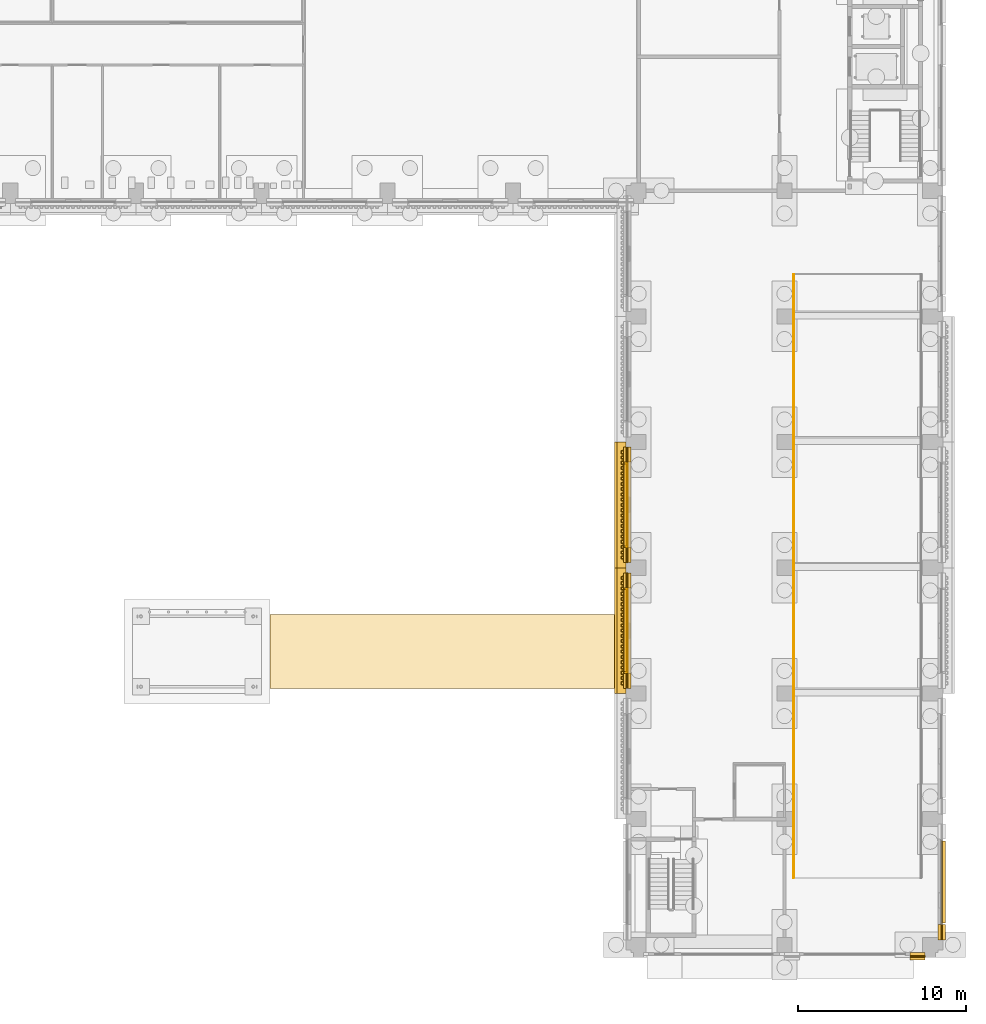
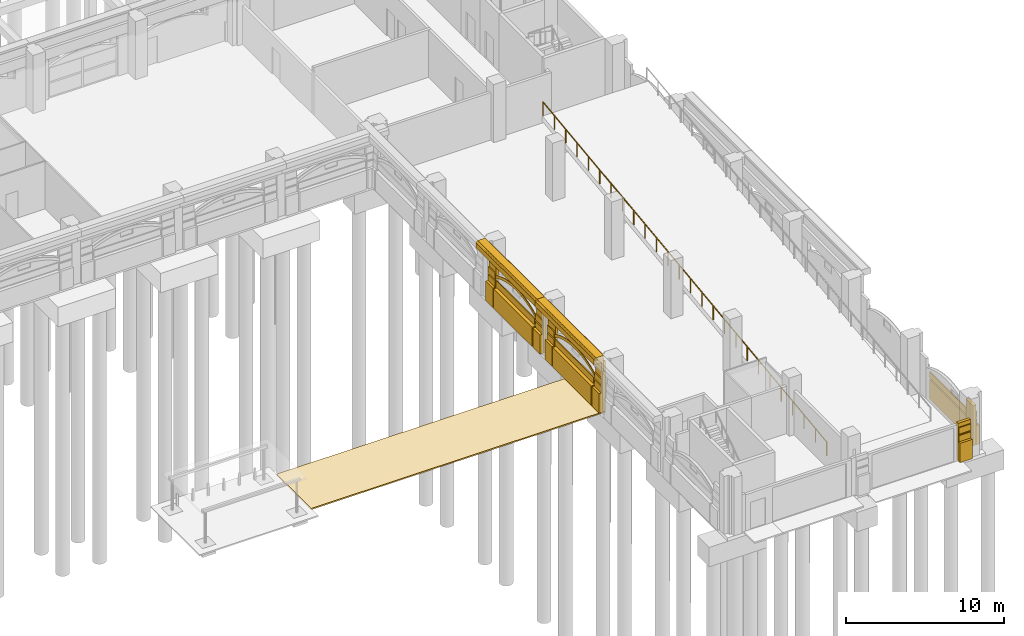
# One storey, part 81 of 99: 39 coverings, 1 railing.
"""IFC4 building model written with IfcOpenShell, lengths in metres."""

from ifc_helpers import new_model, si_unit, direction, frame, origin, origin_2d, place, context, subcontext, project, spatial, polyline, circle, outline, extrude, material, layer, layer_set, type_object, element, save


model = new_model("IFC4")

# Units and contexts
model_context = context("Model", 3, precision=1e-05, world=origin(), true_north=direction((0.0, 1.0)))
body_context = subcontext(model_context, "Body", "Model", "MODEL_VIEW")
ifc_project = project(units=[si_unit("LENGTHUNIT", "METRE"), si_unit("AREAUNIT", "SQUARE_METRE"), si_unit("VOLUMEUNIT", "CUBIC_METRE"), si_unit("PLANEANGLEUNIT", "RADIAN"), si_unit("MASSUNIT", "GRAM", prefix="KILO")], contexts=[model_context])

# Site, building, storey
site_placement = place(None, origin())
site = spatial("IfcSite", under=ifc_project, at=site_placement, CompositionType="ELEMENT")
building_placement = place(site_placement, origin())
building = spatial("IfcBuilding", under=site, at=building_placement, Name="Cour d'Honneur Mobility Palace", CompositionType="ELEMENT")
storey_placement = place(building_placement, origin())
storey = spatial("IfcBuildingStorey", under=building, at=storey_placement, Name="L00", CompositionType="ELEMENT", Elevation=0.0)

# Coverings
ifc_material_1 = material(Name="Cast limestone", Category="masonry")
ifc_layer_1 = layer(ifc_material_1, 0.050048828125)
ifc_layer_set_1 = layer_set([ifc_layer_1], Name="Cast limestone")
covering_type_1 = type_object("IfcCoveringType", Name="Arch hood", PredefinedType="CLADDING", material=ifc_layer_set_1)
for number, where, z_axis, x_axis, name in (
    (1, (144.199951171875, 28.800048828125, 2.179931640625), (-1.0, 0.0, 0.0), (0.0, -0.893604607308, 0.448854994176), "Arch hood AH-26"),
    (2, (144.199951171875, 21.300048828125, 2.179931640625), (-1.0, 0.0, 0.0), (0.0, -0.893604607308, 0.448854994176), "Arch hood AH-27"),
):
    element("IfcCovering", number, at=place(storey_placement, frame(where, z_axis=z_axis, x_axis=x_axis)), inside=storey, type_object=covering_type_1, Name=name, PredefinedType="CLADDING", context=body_context, shape_type="SweptSolid", body=[
        extrude(outline(polyline([(0.0, 0.0), (0.35681066731556765, 2.7755575615628914e-17), (0.7020064606072944, -0.022579595743628944), (1.0367907964215308, -0.06643079839719385), (1.3617125957426337, -0.129916867910564), (1.677101612077335, -0.2118373946082709), (1.9837229270167351, -0.31175705040594615), (2.2813593776637964, -0.4290203374513023), (2.570556878131994, -0.5636282580346337), (2.8512068469728096, -0.7152530632297959), (3.1229815352600987, -0.884003334485308), (3.3862076896297117, -1.070316404466126), (3.640229812229361, -1.2744094360692875), (3.885155482217271, -1.4971560923344107), (4.120218615712047, -1.7395376154593394), (4.344433961354672, -2.0029715780165787), (4.557470763348117, -2.2892043037950724), (4.656205712018263, -2.0926374700096892), (4.44327849376363, -1.8061865790438643), (4.218953564382193, -1.5429707816739562), (3.9838904308874175, -1.3005892585490275), (3.73907434463832, -1.0776244370965733), (3.484942638299858, -0.873749570680743), (3.221716483930245, -0.6874365006999249), (2.949941795642956, -0.5186862294444128), (2.6692918268021404, -0.3670614242492506), (2.3800943263339427, -0.23245350366591921), (2.0824578756868815, -0.11519021662056306), (1.7758365607474815, -0.015270560822887802), (1.460557128151593, 0.06686813106215028), (1.1355257450916771, 0.1301360353881893), (0.8007414092774409, 0.17398723804175414), (0.4556551997245267, 0.1967849989727143), (0.09873494867014648, 0.19656683378538312), (0.0, 0.0)])), origin(), (0.0, 0.0, -1.0), 0.050048828125),
    ])
ifc_material_2 = material(Name="Granite paving", Category="masonry")
ifc_layer_2 = layer(ifc_material_2, 0.10009765625)
ifc_layer_set_2 = layer_set([ifc_layer_2], Name="Granite paving")
covering_type_2 = type_object("IfcCoveringType", Name="Court path paving", PredefinedType="FLOORING", material=ifc_layer_set_2)
covering_1_placement = place(storey_placement, frame((0.0, 0.0, -0.10009765625)))
element("IfcCovering", 3, at=covering_1_placement, inside=storey, type_object=covering_type_2, Name="Court path E", PredefinedType="FLOORING", context=body_context, shape_type="SweptSolid", body=[
    extrude(outline(polyline([(122.89990234375, 15.300048828125), (144.449951171875, 15.300048828125), (144.449951171875, 19.699951171875), (122.89990234375, 19.699951171875), (122.89990234375, 15.300048828125)])), origin(), (0.0, 0.0, 1.0), 0.10009765625),
])
ifc_material_3 = material(Name="Cast limestone", Category="masonry")
ifc_layer_3 = layer(ifc_material_3, 0.14990234375)
ifc_layer_set_3 = layer_set([ifc_layer_3], Name="Cast limestone")
covering_type_3 = type_object("IfcCoveringType", Name="Dentil course", PredefinedType="CLADDING", material=ifc_layer_set_3)
covering_2_placement = place(storey_placement, frame((0.0, 0.0, 3.949951171875)))
element("IfcCovering", 4, at=covering_2_placement, inside=storey, type_object=covering_type_3, Name="Dentil course DC-20", PredefinedType="CLADDING", context=body_context, shape_type="SweptSolid", body=[
    extrude(outline(polyline([(144.0, 29.550048828125), (144.0, 22.949951171875), (143.969970703125, 22.949951171875), (143.969970703125, 22.949951171875), (143.969970703125, 23.028564453125), (143.85009765625, 23.028564453125), (143.85009765625, 23.185791015625), (143.969970703125, 23.185791015625), (143.969970703125, 23.264404296875), (143.969970703125, 23.264404296875), (143.969970703125, 23.3427734375), (143.85009765625, 23.3427734375), (143.85009765625, 23.5), (143.969970703125, 23.5), (143.969970703125, 23.57861328125), (143.969970703125, 23.57861328125), (143.969970703125, 23.6572265625), (143.85009765625, 23.6572265625), (143.85009765625, 23.814208984375), (143.969970703125, 23.814208984375), (143.969970703125, 23.892822265625), (143.969970703125, 23.892822265625), (143.969970703125, 23.971435546875), (143.85009765625, 23.971435546875), (143.85009765625, 24.128662109375), (143.969970703125, 24.128662109375), (143.969970703125, 24.20703125), (143.969970703125, 24.20703125), (143.969970703125, 24.28564453125), (143.85009765625, 24.28564453125), (143.85009765625, 24.44287109375), (143.969970703125, 24.44287109375), (143.969970703125, 24.521484375), (143.969970703125, 24.521484375), (143.969970703125, 24.60009765625), (143.85009765625, 24.60009765625), (143.85009765625, 24.757080078125), (143.969970703125, 24.757080078125), (143.969970703125, 24.835693359375), (143.969970703125, 24.835693359375), (143.969970703125, 24.914306640625), (143.85009765625, 24.914306640625), (143.85009765625, 25.071533203125), (143.969970703125, 25.071533203125), (143.969970703125, 25.14990234375), (143.969970703125, 25.14990234375), (143.969970703125, 25.228515625), (143.85009765625, 25.228515625), (143.85009765625, 25.3857421875), (143.969970703125, 25.3857421875), (143.969970703125, 25.46435546875), (143.969970703125, 25.46435546875), (143.969970703125, 25.54296875), (143.85009765625, 25.54296875), (143.85009765625, 25.699951171875), (143.969970703125, 25.699951171875), (143.969970703125, 25.778564453125), (143.969970703125, 25.778564453125), (143.969970703125, 25.857177734375), (143.85009765625, 25.857177734375), (143.85009765625, 26.014404296875), (143.969970703125, 26.014404296875), (143.969970703125, 26.0927734375), (143.969970703125, 26.0927734375), (143.969970703125, 26.17138671875), (143.85009765625, 26.17138671875), (143.85009765625, 26.32861328125), (143.969970703125, 26.32861328125), (143.969970703125, 26.4072265625), (143.969970703125, 26.4072265625), (143.969970703125, 26.485595703125), (143.85009765625, 26.485595703125), (143.85009765625, 26.642822265625), (143.969970703125, 26.642822265625), (143.969970703125, 26.721435546875), (143.969970703125, 26.721435546875), (143.969970703125, 26.800048828125), (143.85009765625, 26.800048828125), (143.85009765625, 26.95703125), (143.969970703125, 26.95703125), (143.969970703125, 27.03564453125), (143.969970703125, 27.03564453125), (143.969970703125, 27.1142578125), (143.85009765625, 27.1142578125), (143.85009765625, 27.271484375), (143.969970703125, 27.271484375), (143.969970703125, 27.35009765625), (143.969970703125, 27.35009765625), (143.969970703125, 27.428466796875), (143.85009765625, 27.428466796875), (143.85009765625, 27.585693359375), (143.969970703125, 27.585693359375), (143.969970703125, 27.664306640625), (143.969970703125, 27.664306640625), (143.969970703125, 27.742919921875), (143.85009765625, 27.742919921875), (143.85009765625, 27.89990234375), (143.969970703125, 27.89990234375), (143.969970703125, 27.978515625), (143.969970703125, 27.978515625), (143.969970703125, 28.05712890625), (143.85009765625, 28.05712890625), (143.85009765625, 28.21435546875), (143.969970703125, 28.21435546875), (143.969970703125, 28.29296875), (143.969970703125, 28.29296875), (143.969970703125, 28.371337890625), (143.85009765625, 28.371337890625), (143.85009765625, 28.528564453125), (143.969970703125, 28.528564453125), (143.969970703125, 28.607177734375), (143.969970703125, 28.607177734375), (143.969970703125, 28.685791015625), (143.85009765625, 28.685791015625), (143.85009765625, 28.8427734375), (143.969970703125, 28.8427734375), (143.969970703125, 28.92138671875), (143.969970703125, 28.92138671875), (143.969970703125, 29.0), (143.85009765625, 29.0), (143.85009765625, 29.1572265625), (143.969970703125, 29.1572265625), (143.969970703125, 29.235595703125), (143.969970703125, 29.235595703125), (143.969970703125, 29.314208984375), (143.85009765625, 29.314208984375), (143.85009765625, 29.471435546875), (143.969970703125, 29.471435546875), (143.969970703125, 29.550048828125), (144.0, 29.550048828125)])), origin(), (0.0, 0.0, 1.0), 0.150146484375),
])
covering_3_placement = place(storey_placement, frame((0.0, 0.0, 3.949951171875)))
element("IfcCovering", 5, at=covering_3_placement, inside=storey, type_object=covering_type_3, Name="Dentil course DC-21", PredefinedType="CLADDING", context=body_context, shape_type="SweptSolid", body=[
    extrude(outline(polyline([(144.0, 22.050048828125), (144.0, 15.449951171875), (143.969970703125, 15.449951171875), (143.969970703125, 15.449951171875), (143.969970703125, 15.528564453125), (143.85009765625, 15.528564453125), (143.85009765625, 15.685791015625), (143.969970703125, 15.685791015625), (143.969970703125, 15.764404296875), (143.969970703125, 15.764404296875), (143.969970703125, 15.8427734375), (143.85009765625, 15.8427734375), (143.85009765625, 16.0), (143.969970703125, 16.0), (143.969970703125, 16.07861328125), (143.969970703125, 16.07861328125), (143.969970703125, 16.1572265625), (143.85009765625, 16.1572265625), (143.85009765625, 16.314208984375), (143.969970703125, 16.314208984375), (143.969970703125, 16.392822265625), (143.969970703125, 16.392822265625), (143.969970703125, 16.471435546875), (143.85009765625, 16.471435546875), (143.85009765625, 16.628662109375), (143.969970703125, 16.628662109375), (143.969970703125, 16.70703125), (143.969970703125, 16.70703125), (143.969970703125, 16.78564453125), (143.85009765625, 16.78564453125), (143.85009765625, 16.94287109375), (143.969970703125, 16.94287109375), (143.969970703125, 17.021484375), (143.969970703125, 17.021484375), (143.969970703125, 17.10009765625), (143.85009765625, 17.10009765625), (143.85009765625, 17.257080078125), (143.969970703125, 17.257080078125), (143.969970703125, 17.335693359375), (143.969970703125, 17.335693359375), (143.969970703125, 17.414306640625), (143.85009765625, 17.414306640625), (143.85009765625, 17.571533203125), (143.969970703125, 17.571533203125), (143.969970703125, 17.64990234375), (143.969970703125, 17.64990234375), (143.969970703125, 17.728515625), (143.85009765625, 17.728515625), (143.85009765625, 17.8857421875), (143.969970703125, 17.8857421875), (143.969970703125, 17.96435546875), (143.969970703125, 17.96435546875), (143.969970703125, 18.04296875), (143.85009765625, 18.04296875), (143.85009765625, 18.199951171875), (143.969970703125, 18.199951171875), (143.969970703125, 18.278564453125), (143.969970703125, 18.278564453125), (143.969970703125, 18.357177734375), (143.85009765625, 18.357177734375), (143.85009765625, 18.514404296875), (143.969970703125, 18.514404296875), (143.969970703125, 18.5927734375), (143.969970703125, 18.5927734375), (143.969970703125, 18.67138671875), (143.85009765625, 18.67138671875), (143.85009765625, 18.82861328125), (143.969970703125, 18.82861328125), (143.969970703125, 18.9072265625), (143.969970703125, 18.9072265625), (143.969970703125, 18.985595703125), (143.85009765625, 18.985595703125), (143.85009765625, 19.142822265625), (143.969970703125, 19.142822265625), (143.969970703125, 19.221435546875), (143.969970703125, 19.221435546875), (143.969970703125, 19.300048828125), (143.85009765625, 19.300048828125), (143.85009765625, 19.45703125), (143.969970703125, 19.45703125), (143.969970703125, 19.53564453125), (143.969970703125, 19.53564453125), (143.969970703125, 19.6142578125), (143.85009765625, 19.6142578125), (143.85009765625, 19.771484375), (143.969970703125, 19.771484375), (143.969970703125, 19.85009765625), (143.969970703125, 19.85009765625), (143.969970703125, 19.928466796875), (143.85009765625, 19.928466796875), (143.85009765625, 20.085693359375), (143.969970703125, 20.085693359375), (143.969970703125, 20.164306640625), (143.969970703125, 20.164306640625), (143.969970703125, 20.242919921875), (143.85009765625, 20.242919921875), (143.85009765625, 20.39990234375), (143.969970703125, 20.39990234375), (143.969970703125, 20.478515625), (143.969970703125, 20.478515625), (143.969970703125, 20.55712890625), (143.85009765625, 20.55712890625), (143.85009765625, 20.71435546875), (143.969970703125, 20.71435546875), (143.969970703125, 20.79296875), (143.969970703125, 20.79296875), (143.969970703125, 20.871337890625), (143.85009765625, 20.871337890625), (143.85009765625, 21.028564453125), (143.969970703125, 21.028564453125), (143.969970703125, 21.107177734375), (143.969970703125, 21.107177734375), (143.969970703125, 21.185791015625), (143.85009765625, 21.185791015625), (143.85009765625, 21.3427734375), (143.969970703125, 21.3427734375), (143.969970703125, 21.42138671875), (143.969970703125, 21.42138671875), (143.969970703125, 21.5), (143.85009765625, 21.5), (143.85009765625, 21.6572265625), (143.969970703125, 21.6572265625), (143.969970703125, 21.735595703125), (143.969970703125, 21.735595703125), (143.969970703125, 21.814208984375), (143.85009765625, 21.814208984375), (143.85009765625, 21.971435546875), (143.969970703125, 21.971435546875), (143.969970703125, 22.050048828125), (144.0, 22.050048828125)])), origin(), (0.0, 0.0, 1.0), 0.150146484375),
])
ifc_material_4 = material(Name="Cast limestone", Category="masonry")
ifc_layer_4 = layer(ifc_material_4, 0.699951171875)
ifc_layer_set_4 = layer_set([ifc_layer_4], Name="Cast limestone")
covering_type_4 = type_object("IfcCoveringType", Name="Entablature", PredefinedType="CLADDING", material=ifc_layer_set_4)
for number, where, z_axis, x_axis, name in (
    (6, (144.14990234375, 30.0, 3.39990234375), (0.0, 1.0, 0.0), (-1.0, 0.0, 0.0), "Entablature EN-20"),
    (7, (144.14990234375, 22.5, 3.39990234375), (0.0, 1.0, 0.0), (-1.0, 0.0, 0.0), "Entablature EN-21"),
):
    element("IfcCovering", number, at=place(storey_placement, frame(where, z_axis=z_axis, x_axis=x_axis)), inside=storey, type_object=covering_type_4, Name=name, PredefinedType="CLADDING", context=body_context, shape_type="SweptSolid", body=[
        extrude(outline(polyline([(0.0, 0.0), (0.14990234375, 0.0), (0.14990234375, 0.7001953125), (0.699951171875, 0.7001953125), (0.699951171875, 1.10009765625), (0.5498046875, 1.2001953125), (0.0, 1.2001953125), (0.0, 0.0)])), origin(), (0.0, 0.0, -1.0), 7.5),
    ])
ifc_material_5 = material(Name="Cast limestone", Category="masonry")
ifc_layer_5 = layer(ifc_material_5, 0.25)
ifc_layer_set_5 = layer_set([ifc_layer_5], Name="Cast limestone")
covering_type_5 = type_object("IfcCoveringType", Name="Plinth course", PredefinedType="CLADDING", material=ifc_layer_set_5)
covering_4_placement = place(storey_placement, origin())
element("IfcCovering", 8, at=covering_4_placement, inside=storey, type_object=covering_type_5, Name="Plinth course PI-75", PredefinedType="CLADDING", context=body_context, shape_type="SweptSolid", body=[
    extrude(outline(polyline([(144.25, 29.699951171875), (144.25, 28.800048828125), (144.0, 28.800048828125), (144.0, 29.699951171875), (144.25, 29.699951171875)])), origin(), (0.0, 0.0, 1.0), 1.5),
])
covering_5_placement = place(storey_placement, origin())
element("IfcCovering", 9, at=covering_5_placement, inside=storey, type_object=covering_type_5, Name="Plinth course PI-76", PredefinedType="CLADDING", context=body_context, shape_type="SweptSolid", body=[
    extrude(outline(polyline([(144.25, 23.699951171875), (144.25, 22.800048828125), (144.0, 22.800048828125), (144.0, 23.699951171875), (144.25, 23.699951171875)])), origin(), (0.0, 0.0, 1.0), 1.5),
])
covering_6_placement = place(storey_placement, origin())
element("IfcCovering", 10, at=covering_6_placement, inside=storey, type_object=covering_type_5, Name="Plinth course PI-77", PredefinedType="CLADDING", context=body_context, shape_type="SweptSolid", body=[
    extrude(outline(polyline([(144.25, 28.699951171875), (144.25, 23.800048828125), (144.0, 23.800048828125), (144.0, 28.699951171875), (144.25, 28.699951171875)])), origin(), (0.0, 0.0, 1.0), 1.5),
])
covering_7_placement = place(storey_placement, origin())
element("IfcCovering", 11, at=covering_7_placement, inside=storey, type_object=covering_type_5, Name="Plinth course PI-78", PredefinedType="CLADDING", context=body_context, shape_type="SweptSolid", body=[
    extrude(outline(polyline([(144.25, 22.199951171875), (144.25, 21.300048828125), (144.0, 21.300048828125), (144.0, 22.199951171875), (144.25, 22.199951171875)])), origin(), (0.0, 0.0, 1.0), 1.5),
])
covering_8_placement = place(storey_placement, origin())
element("IfcCovering", 12, at=covering_8_placement, inside=storey, type_object=covering_type_5, Name="Plinth course PI-79", PredefinedType="CLADDING", context=body_context, shape_type="SweptSolid", body=[
    extrude(outline(polyline([(144.25, 16.199951171875), (144.25, 15.300048828125), (144.0, 15.300048828125), (144.0, 16.199951171875), (144.25, 16.199951171875)])), origin(), (0.0, 0.0, 1.0), 1.5),
])
covering_9_placement = place(storey_placement, origin())
element("IfcCovering", 13, at=covering_9_placement, inside=storey, type_object=covering_type_5, Name="Plinth course PI-80", PredefinedType="CLADDING", context=body_context, shape_type="SweptSolid", body=[
    extrude(outline(polyline([(144.25, 21.199951171875), (144.25, 16.300048828125), (144.0, 16.300048828125), (144.0, 21.199951171875), (144.25, 21.199951171875)])), origin(), (0.0, 0.0, 1.0), 1.5),
])
covering_10_placement = place(storey_placement, origin())
element("IfcCovering", 14, at=covering_10_placement, inside=storey, type_object=covering_type_5, Name="Plinth course PI-88", PredefinedType="CLADDING", context=body_context, shape_type="SweptSolid", body=[
    extrude(outline(polyline([(161.10009765625, -0.64990234375), (162.0, -0.64990234375), (162.0, -0.89990234375), (161.10009765625, -0.89990234375), (161.10009765625, -0.64990234375)])), origin(), (0.0, 0.0, 1.0), 1.5),
])
covering_11_placement = place(storey_placement, origin())
element("IfcCovering", 15, at=covering_11_placement, inside=storey, type_object=covering_type_5, Name="Plinth course PI-89", PredefinedType="CLADDING", context=body_context, shape_type="SweptSolid", body=[
    extrude(outline(polyline([(162.949951171875, 0.300048828125), (162.949951171875, 1.199951171875), (163.199951171875, 1.199951171875), (163.199951171875, 0.300048828125), (162.949951171875, 0.300048828125)])), origin(), (0.0, 0.0, 1.0), 1.5),
])
covering_12_placement = place(storey_placement, origin())
element("IfcCovering", 16, at=covering_12_placement, inside=storey, type_object=covering_type_5, Name="Plinth course PI-91", PredefinedType="CLADDING", context=body_context, shape_type="SweptSolid", body=[
    extrude(outline(polyline([(162.949951171875, 1.300048828125), (162.949951171875, 6.199951171875), (163.199951171875, 6.199951171875), (163.199951171875, 1.300048828125), (162.949951171875, 1.300048828125)])), origin(), (0.0, 0.0, 1.0), 1.5),
])

# Railing
ifc_material_6 = material(Name="Painted steel", Category="steel")
railing_type = type_object("IfcRailingType", Name="Ramp guard 1100", PredefinedType="GUARDRAIL", material=ifc_material_6)
railing_placement = place(storey_placement, frame((154.14990234375, 4.0, 0.0)))
element("IfcRailing", 17, at=railing_placement, inside=storey, type_object=railing_type, Name="Ramp guard Ramp East 1", PredefinedType="GUARDRAIL", context=body_context, shape_type="SweptSolid", body=[
    extrude(circle(Radius=0.02490234375, at=origin_2d()), frame((0.0, 0.0, 1.0751953125), z_axis=(0.0, 0.992277876714, 0.124034734589), x_axis=(-1.0, 0.0, 0.0)), (0.0, 0.0, 1.0), 36.2802734375),
    extrude(circle(Radius=0.02099609375, at=origin_2d()), origin(), (0.0, 0.0, 1.0), 1.050048828125),
    extrude(circle(Radius=0.02099609375, at=origin_2d()), frame((0.0, 1.43994140625, 0.179931640625)), (0.0, 0.0, 1.0), 1.050048828125),
    extrude(circle(Radius=0.02099609375, at=origin_2d()), frame((0.0, 2.8798828125, 0.360107421875)), (0.0, 0.0, 1.0), 1.050048828125),
    extrude(circle(Radius=0.02099609375, at=origin_2d()), frame((0.0, 4.320068359375, 0.5400390625)), (0.0, 0.0, 1.0), 1.050048828125),
    extrude(circle(Radius=0.02099609375, at=origin_2d()), frame((0.0, 5.760009765625, 0.719970703125)), (0.0, 0.0, 1.0), 1.050048828125),
    extrude(circle(Radius=0.02099609375, at=origin_2d()), frame((0.0, 7.199951171875, 0.89990234375)), (0.0, 0.0, 1.0), 1.050048828125),
    extrude(circle(Radius=0.02099609375, at=origin_2d()), frame((0.0, 8.639892578125, 1.080078125)), (0.0, 0.0, 1.0), 1.050048828125),
    extrude(circle(Radius=0.02099609375, at=origin_2d()), frame((0.0, 10.080078125, 1.260009765625)), (0.0, 0.0, 1.0), 1.050048828125),
    extrude(circle(Radius=0.02099609375, at=origin_2d()), frame((0.0, 11.52001953125, 1.43994140625)), (0.0, 0.0, 1.0), 1.050048828125),
    extrude(circle(Radius=0.02099609375, at=origin_2d()), frame((0.0, 12.9599609375, 1.6201171875)), (0.0, 0.0, 1.0), 1.050048828125),
    extrude(circle(Radius=0.02099609375, at=origin_2d()), frame((0.0, 14.39990234375, 1.800048828125)), (0.0, 0.0, 1.0), 1.050048828125),
    extrude(circle(Radius=0.02099609375, at=origin_2d()), frame((0.0, 15.840087890625, 1.97998046875)), (0.0, 0.0, 1.0), 1.050048828125),
    extrude(circle(Radius=0.02099609375, at=origin_2d()), frame((0.0, 17.280029296875, 2.159912109375)), (0.0, 0.0, 1.0), 1.050048828125),
    extrude(circle(Radius=0.02099609375, at=origin_2d()), frame((0.0, 18.719970703125, 2.340087890625)), (0.0, 0.0, 1.0), 1.050048828125),
    extrude(circle(Radius=0.02099609375, at=origin_2d()), frame((0.0, 20.159912109375, 2.52001953125)), (0.0, 0.0, 1.0), 1.050048828125),
    extrude(circle(Radius=0.02099609375, at=origin_2d()), frame((0.0, 21.60009765625, 2.699951171875)), (0.0, 0.0, 1.0), 1.050048828125),
    extrude(circle(Radius=0.02099609375, at=origin_2d()), frame((0.0, 23.0400390625, 2.8798828125)), (0.0, 0.0, 1.0), 1.050048828125),
    extrude(circle(Radius=0.02099609375, at=origin_2d()), frame((0.0, 24.47998046875, 3.06005859375)), (0.0, 0.0, 1.0), 1.050048828125),
    extrude(circle(Radius=0.02099609375, at=origin_2d()), frame((0.0, 25.919921875, 3.239990234375)), (0.0, 0.0, 1.0), 1.050048828125),
    extrude(circle(Radius=0.02099609375, at=origin_2d()), frame((0.0, 27.360107421875, 3.419921875)), (0.0, 0.0, 1.0), 1.050048828125),
    extrude(circle(Radius=0.02099609375, at=origin_2d()), frame((0.0, 28.800048828125, 3.60009765625)), (0.0, 0.0, 1.0), 1.050048828125),
    extrude(circle(Radius=0.02099609375, at=origin_2d()), frame((0.0, 30.239990234375, 3.780029296875)), (0.0, 0.0, 1.0), 1.050048828125),
    extrude(circle(Radius=0.02099609375, at=origin_2d()), frame((0.0, 31.679931640625, 3.9599609375)), (0.0, 0.0, 1.0), 1.050048828125),
    extrude(circle(Radius=0.02099609375, at=origin_2d()), frame((0.0, 33.1201171875, 4.139892578125)), (0.0, 0.0, 1.0), 1.050048828125),
    extrude(circle(Radius=0.02099609375, at=origin_2d()), frame((0.0, 34.56005859375, 4.320068359375)), (0.0, 0.0, 1.0), 1.050048828125),
    extrude(circle(Radius=0.02099609375, at=origin_2d()), frame((0.0, 36.0, 4.5)), (0.0, 0.0, 1.0), 1.050048828125),
])

# Coverings
ifc_material_7 = material(Name="Cast limestone", Category="masonry")
ifc_layer_6 = layer(ifc_material_7, 0.199951171875)
ifc_layer_set_6 = layer_set([ifc_layer_6], Name="Cast limestone")
covering_type_6 = type_object("IfcCoveringType", Name="Rusticated jamb panel", PredefinedType="CLADDING", material=ifc_layer_set_6)
for number, where, z_axis, x_axis, name in (
    (18, (144.25, 29.699951171875, 0.0), (-1.0, 0.0, 0.0), (0.0, -1.0, 0.0), "Rusticated jamb panel RP-55"),
    (19, (144.25, 23.699951171875, 0.0), (-1.0, 0.0, 0.0), (0.0, -1.0, 0.0), "Rusticated jamb panel RP-56"),
    (20, (144.25, 22.199951171875, 0.0), (-1.0, 0.0, 0.0), (0.0, -1.0, 0.0), "Rusticated jamb panel RP-57"),
    (21, (144.25, 16.199951171875, 0.0), (-1.0, 0.0, 0.0), (0.0, -1.0, 0.0), "Rusticated jamb panel RP-58"),
):
    element("IfcCovering", number, at=place(storey_placement, frame(where, z_axis=z_axis, x_axis=x_axis)), inside=storey, type_object=covering_type_6, Name=name, PredefinedType="CLADDING", context=body_context, shape_type="SweptSolid", body=[
        extrude(outline(polyline([(0.0, 0.0), (0.89990234375, 0.0), (0.89990234375, 3.10009765625), (0.0, 3.10009765625), (0.0, 0.0)])), origin(), (0.0, 0.0, -1.0), 0.199951171875),
    ])
covering_13_placement = place(storey_placement, frame((161.10009765625, -0.64990234375, 0.0), z_axis=(0.0, -1.0, 0.0), x_axis=(1.0, 0.0, 0.0)))
element("IfcCovering", 22, at=covering_13_placement, inside=storey, type_object=covering_type_6, Name="Rusticated jamb panel RP-66", PredefinedType="CLADDING", context=body_context, shape_type="SweptSolid", body=[
    extrude(outline(polyline([(0.0, 0.0), (0.89990234375, 0.0), (0.89990234375, 2.89990234375), (0.0, 2.89990234375), (0.0, 0.0)])), origin(), (0.0, 0.0, -1.0), 0.199951171875),
])
covering_14_placement = place(storey_placement, frame((162.949951171875, 0.300048828125, 0.0), z_axis=(1.0, 0.0, 0.0), x_axis=(0.0, 1.0, 0.0)))
element("IfcCovering", 23, at=covering_14_placement, inside=storey, type_object=covering_type_6, Name="Rusticated jamb panel RP-67", PredefinedType="CLADDING", context=body_context, shape_type="SweptSolid", body=[
    extrude(outline(polyline([(0.0, 0.0), (0.89990234375, 0.0), (0.89990234375, 3.10009765625), (0.0, 3.10009765625), (0.0, 0.0)])), origin(), (0.0, 0.0, -1.0), 0.199951171875),
])
ifc_material_8 = material(Name="Cast limestone", Category="masonry")
ifc_layer_7 = layer(ifc_material_8, 0.080078125)
ifc_layer_set_7 = layer_set([ifc_layer_7], Name="Cast limestone")
covering_type_7 = type_object("IfcCoveringType", Name="Rustication course", PredefinedType="CLADDING", material=ifc_layer_set_7)
for number, where, name in (
    (24, (0.0, 0.0, 1.5), "Rustication course RC-127"),
    (25, (0.0, 0.0, 2.10009765625), "Rustication course RC-128"),
):
    element("IfcCovering", number, at=place(storey_placement, frame(where)), inside=storey, type_object=covering_type_7, Name=name, PredefinedType="CLADDING", context=body_context, shape_type="SweptSolid", body=[
        extrude(outline(polyline([(144.25, 29.699951171875), (144.25, 28.800048828125), (144.169921875, 28.800048828125), (144.169921875, 29.699951171875), (144.25, 29.699951171875)])), origin(), (0.0, 0.0, 1.0), 0.47998046875),
    ])
for number, where, name in (
    (26, (0.0, 0.0, 1.5), "Rustication course RC-129"),
    (27, (0.0, 0.0, 2.10009765625), "Rustication course RC-130"),
):
    element("IfcCovering", number, at=place(storey_placement, frame(where)), inside=storey, type_object=covering_type_7, Name=name, PredefinedType="CLADDING", context=body_context, shape_type="SweptSolid", body=[
        extrude(outline(polyline([(144.25, 23.699951171875), (144.25, 22.800048828125), (144.169921875, 22.800048828125), (144.169921875, 23.699951171875), (144.25, 23.699951171875)])), origin(), (0.0, 0.0, 1.0), 0.47998046875),
    ])
covering_15_placement = place(storey_placement, frame((0.0, 0.0, 1.6201171875)))
element("IfcCovering", 28, at=covering_15_placement, inside=storey, type_object=covering_type_7, Name="Rustication course RC-131", PredefinedType="CLADDING", context=body_context, shape_type="SweptSolid", body=[
    extrude(outline(polyline([(144.25, 28.699951171875), (144.25, 23.800048828125), (144.169921875, 23.800048828125), (144.169921875, 28.699951171875), (144.25, 28.699951171875)])), origin(), (0.0, 0.0, 1.0), 0.47998046875),
])
for number, where, name in (
    (29, (0.0, 0.0, 1.5), "Rustication course RC-132"),
    (30, (0.0, 0.0, 2.10009765625), "Rustication course RC-133"),
):
    element("IfcCovering", number, at=place(storey_placement, frame(where)), inside=storey, type_object=covering_type_7, Name=name, PredefinedType="CLADDING", context=body_context, shape_type="SweptSolid", body=[
        extrude(outline(polyline([(144.25, 22.199951171875), (144.25, 21.300048828125), (144.169921875, 21.300048828125), (144.169921875, 22.199951171875), (144.25, 22.199951171875)])), origin(), (0.0, 0.0, 1.0), 0.47998046875),
    ])
for number, where, name in (
    (31, (0.0, 0.0, 1.5), "Rustication course RC-134"),
    (32, (0.0, 0.0, 2.10009765625), "Rustication course RC-135"),
):
    element("IfcCovering", number, at=place(storey_placement, frame(where)), inside=storey, type_object=covering_type_7, Name=name, PredefinedType="CLADDING", context=body_context, shape_type="SweptSolid", body=[
        extrude(outline(polyline([(144.25, 16.199951171875), (144.25, 15.300048828125), (144.169921875, 15.300048828125), (144.169921875, 16.199951171875), (144.25, 16.199951171875)])), origin(), (0.0, 0.0, 1.0), 0.47998046875),
    ])
covering_16_placement = place(storey_placement, frame((0.0, 0.0, 1.6201171875)))
element("IfcCovering", 33, at=covering_16_placement, inside=storey, type_object=covering_type_7, Name="Rustication course RC-136", PredefinedType="CLADDING", context=body_context, shape_type="SweptSolid", body=[
    extrude(outline(polyline([(144.25, 21.199951171875), (144.25, 16.300048828125), (144.169921875, 16.300048828125), (144.169921875, 21.199951171875), (144.25, 21.199951171875)])), origin(), (0.0, 0.0, 1.0), 0.47998046875),
])
for number, where, name in (
    (34, (0.0, 0.0, 1.5), "Rustication course RC-149"),
    (35, (0.0, 0.0, 2.10009765625), "Rustication course RC-150"),
):
    element("IfcCovering", number, at=place(storey_placement, frame(where)), inside=storey, type_object=covering_type_7, Name=name, PredefinedType="CLADDING", context=body_context, shape_type="SweptSolid", body=[
        extrude(outline(polyline([(161.10009765625, -0.64990234375), (162.0, -0.64990234375), (162.0, -0.72998046875), (161.10009765625, -0.72998046875), (161.10009765625, -0.64990234375)])), origin(), (0.0, 0.0, 1.0), 0.47998046875),
    ])
for number, where, name in (
    (36, (0.0, 0.0, 1.5), "Rustication course RC-151"),
    (37, (0.0, 0.0, 2.10009765625), "Rustication course RC-152"),
):
    element("IfcCovering", number, at=place(storey_placement, frame(where)), inside=storey, type_object=covering_type_7, Name=name, PredefinedType="CLADDING", context=body_context, shape_type="SweptSolid", body=[
        extrude(outline(polyline([(162.949951171875, 0.300048828125), (162.949951171875, 1.199951171875), (163.030029296875, 1.199951171875), (163.030029296875, 0.300048828125), (162.949951171875, 0.300048828125)])), origin(), (0.0, 0.0, 1.0), 0.47998046875),
    ])
covering_17_placement = place(storey_placement, frame((0.0, 0.0, 1.6201171875)))
element("IfcCovering", 38, at=covering_17_placement, inside=storey, type_object=covering_type_7, Name="Rustication course RC-155", PredefinedType="CLADDING", context=body_context, shape_type="SweptSolid", body=[
    extrude(outline(polyline([(162.949951171875, 1.300048828125), (162.949951171875, 6.199951171875), (163.030029296875, 6.199951171875), (163.030029296875, 1.300048828125), (162.949951171875, 1.300048828125)])), origin(), (0.0, 0.0, 1.0), 0.47998046875),
])
ifc_material_9 = material(Name="Cast limestone", Category="masonry")
ifc_layer_8 = layer(ifc_material_9, 0.25)
ifc_layer_set_8 = layer_set([ifc_layer_8], Name="Cast limestone")
covering_type_8 = type_object("IfcCoveringType", Name="Spandrel cladding", PredefinedType="CLADDING", material=ifc_layer_set_8)
for number, where, z_axis, x_axis, name in (
    (39, (144.449951171875, 29.699951171875, 3.10009765625), (0.0, 1.0, 0.0), (-1.0, 0.0, 0.0), "Spandrel cladding SK-20"),
    (40, (144.449951171875, 22.199951171875, 3.10009765625), (0.0, 1.0, 0.0), (-1.0, 0.0, 0.0), "Spandrel cladding SK-21"),
):
    element("IfcCovering", number, at=place(storey_placement, frame(where, z_axis=z_axis, x_axis=x_axis)), inside=storey, type_object=covering_type_8, Name=name, PredefinedType="CLADDING", context=body_context, shape_type="SweptSolid", body=[
        extrude(outline(polyline([(0.0, 0.0), (0.25, 0.0), (0.25, 1.39990234375), (0.199951171875, 1.39990234375), (0.199951171875, 0.7998046875), (0.0, 0.7998046875), (0.0, 0.0)])), origin(), (0.0, 0.0, -1.0), 6.89990234375),
    ])

save(model, "model.ifc")
